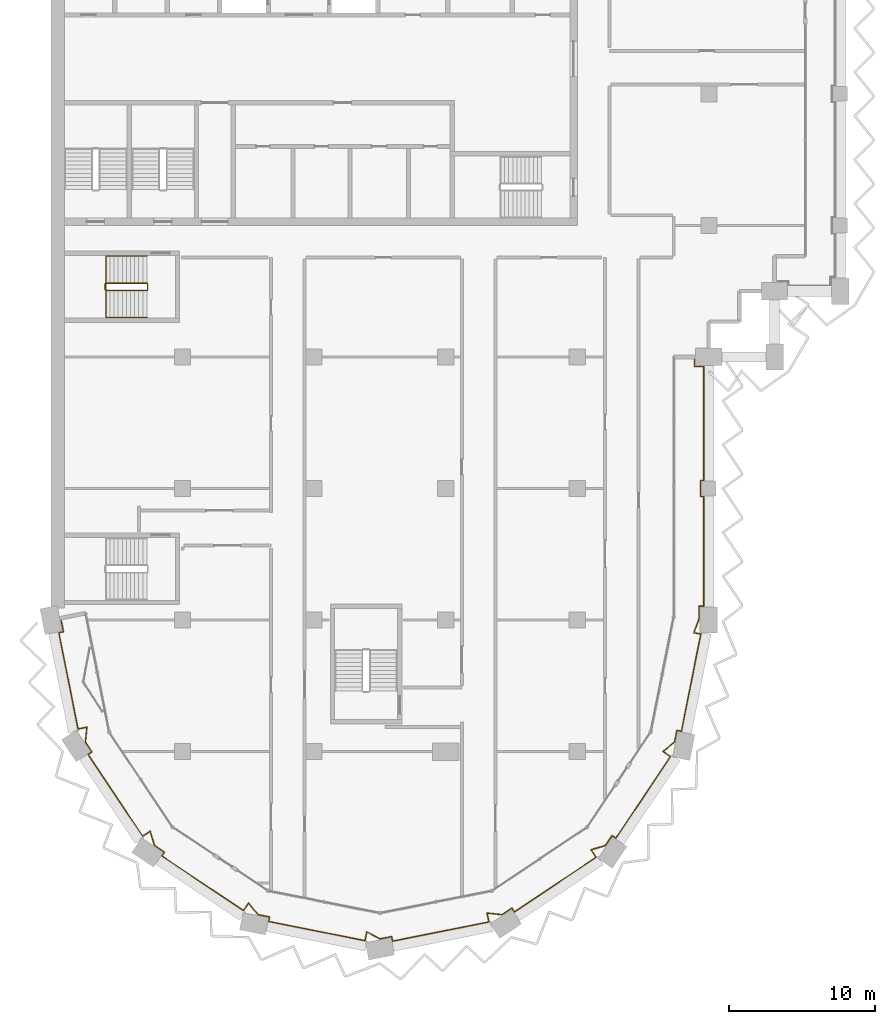
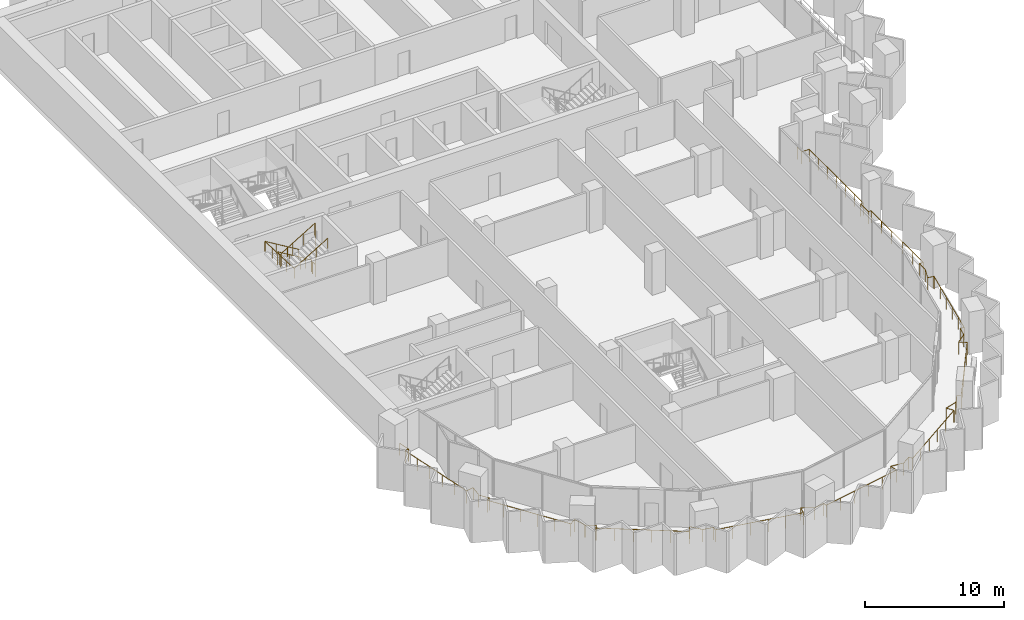
# One storey, part 17 of 19: 3 railings.
"""IFC4 building model written with IfcOpenShell, lengths in metres."""

import ifcopenshell
import ifcopenshell.guid

model = None  # the IFC model being written
_history = None  # IfcOwnerHistory: only IFC2X3 demands one
_inside = {}  # id of a spatial element -> (the spatial element, [elements in it])
_under = {}  # id of a project, library or spatial element -> (it, [spatial elements below it])
_declared = {}  # id of a project -> (the project, [libraries it declares])
_typed = {}  # id of a type object -> (the type object, [elements of that type])
_made_of = {}  # id of a material, layer set ... -> (it, [elements and type objects made of it])


def new_model(schema):
    """Start an empty IFC model of exactly this schema.

    Asked for "IFC4X3", IfcOpenShell would pick the latest addendum, in which some entities
    have other attributes; the version numbers below select the first issue.
    IFC2X3 requires an IfcOwnerHistory on every rooted entity: one is made here for all.
    """
    global model, _history
    if schema == "IFC4X3":
        model = ifcopenshell.file(schema_version=(4, 3, 0, 0))
    else:
        model = ifcopenshell.file(schema=schema)
    _inside.clear()
    _under.clear()
    _declared.clear()
    _typed.clear()
    _made_of.clear()
    _history = None
    if model.schema == "IFC2X3":
        org = make("IfcOrganization", Name="unknown")
        user = make(
            "IfcPersonAndOrganization",
            ThePerson=make("IfcPerson", FamilyName="unknown"),
            TheOrganization=org,
        )
        app = make(
            "IfcApplication",
            ApplicationDeveloper=org,
            Version="unknown",
            ApplicationFullName="unknown",
            ApplicationIdentifier="unknown",
        )
        _history = make(
            "IfcOwnerHistory",
            OwningUser=user,
            OwningApplication=app,
            ChangeAction="ADDED",
            CreationDate=0,
        )
    return model


def make(cls, **values):
    """One entity of the class cls with the attributes given. An attribute that is None is left unset."""
    return model.create_entity(
        cls, **{name: value for name, value in values.items() if value is not None}
    )


def rooted(cls, **values):
    """An entity with a GlobalId (a new one), such as an element, a storey or a relation."""
    return make(cls, GlobalId=ifcopenshell.guid.new(), OwnerHistory=_history, **values)


def si_unit(unit_type, name, prefix=None):
    """IfcSIUnit, for example si_unit("LENGTHUNIT", "METRE", prefix="MILLI")."""
    return make("IfcSIUnit", UnitType=unit_type, Prefix=prefix, Name=name)


def assignment(units):
    """IfcUnitAssignment: the units of a project."""
    return None if units is None else make("IfcUnitAssignment", Units=units)


def point(xyz):
    """IfcCartesianPoint."""
    return None if xyz is None else make("IfcCartesianPoint", Coordinates=xyz)


def direction(xyz):
    """IfcDirection."""
    return None if xyz is None else make("IfcDirection", DirectionRatios=xyz)


def frame(location, z_axis=None, x_axis=None):
    """IfcAxis2Placement3D, a coordinate frame: its origin and axes. An axis left out is left unset."""
    return make(
        "IfcAxis2Placement3D",
        Location=point(location),
        Axis=direction(z_axis),
        RefDirection=direction(x_axis),
    )


def frame_2d(location, x_axis=None):
    """IfcAxis2Placement2D, a coordinate frame in the plane: its origin and x axis."""
    return make(
        "IfcAxis2Placement2D", Location=point(location), RefDirection=direction(x_axis)
    )


def origin():
    """The frame at (0, 0, 0) with its axes left unset."""
    return frame((0.0, 0.0, 0.0))


def origin_2d():
    """The frame at (0, 0) in the plane with its x axis left unset."""
    return frame_2d((0.0, 0.0))


def place(relative_to, where):
    """IfcLocalPlacement: puts the frame where relative to a parent placement (None: the world)."""
    return make(
        "IfcLocalPlacement", PlacementRelTo=relative_to, RelativePlacement=where
    )


def context(
    kind, dimensions, precision=None, world=None, true_north=None, identifier=None
):
    """IfcGeometricRepresentationContext, for example the 3D "Model" context."""
    return make(
        "IfcGeometricRepresentationContext",
        ContextIdentifier=identifier,
        ContextType=kind,
        CoordinateSpaceDimension=dimensions,
        Precision=precision,
        WorldCoordinateSystem=world,
        TrueNorth=true_north,
    )


def subcontext(parent, identifier, kind, view, scale=None):
    """IfcGeometricRepresentationSubContext, for example "Body" below "Model"."""
    return make(
        "IfcGeometricRepresentationSubContext",
        ContextIdentifier=identifier,
        ContextType=kind,
        ParentContext=parent,
        TargetScale=scale,
        TargetView=view,
    )


def project(units=None, contexts=None):
    """IfcProject with its units and contexts."""
    return rooted(
        "IfcProject",
        Name="project",
        RepresentationContexts=contexts,
        UnitsInContext=assignment(units),
    )


def spatial(cls, under=None, at=None, **own):
    """A site, building, storey or space (cls), placed at a placement, below another one or the project."""
    s = rooted(cls, ObjectPlacement=at, **own)
    if under is not None:
        _under.setdefault(under.id(), (under, []))[1].append(s)
    return s


def profile(cls, at=None, kind="AREA", **sizes):
    """A parametric profile (cls). Its sizes go by their IFC names, for example OverallWidth=200.0."""
    return make(cls, ProfileType=kind, Position=at, **sizes)


def circle(**sizes):
    """IfcCircleProfileDef."""
    return profile("IfcCircleProfileDef", **sizes)


def extrude(swept, where, along, depth):
    """IfcExtrudedAreaSolid: the profile swept, set in the frame where, extruded along a direction by depth."""
    return make(
        "IfcExtrudedAreaSolid",
        SweptArea=swept,
        Position=where,
        ExtrudedDirection=direction(along),
        Depth=depth,
    )


def shape(context_of_items, identifier, shape_type, items):
    """IfcShapeRepresentation: the items that make up one representation, for example the "Body"."""
    return make(
        "IfcShapeRepresentation",
        ContextOfItems=context_of_items,
        RepresentationIdentifier=identifier,
        RepresentationType=shape_type,
        Items=items,
    )


def material(Name=None, Category=None):
    """IfcMaterial."""
    return make("IfcMaterial", Name=Name, Category=Category)


def made_of(thing, what):
    """Note that an element or type object is made of a material, layer set ...; save() writes the relation."""
    if what is not None:
        _made_of.setdefault(what.id(), (what, []))[1].append(thing)
    return thing


def type_object(cls, material=None, **own):
    """A type object (cls), such as IfcWallType, which elements share."""
    return made_of(rooted(cls, **own), material)


def element(
    cls,
    number,
    at=None,
    inside=None,
    cuts=None,
    type_object=None,
    material=None,
    context=None,
    identifier="Body",
    shape_type=None,
    held_by="IfcProductDefinitionShape",
    body=None,
    shapes=None,
    **own,
):
    """One element of the class cls, such as IfcWall. Its Tag is "e" and its number.

    at: its placement. inside: the storey or other place that contains it. cuts: it is an
    opening in that element (IfcRelVoidsElement). A single representation is given by context,
    identifier, shape_type and body (its items); several are given by shapes. held_by: the class
    of the entity that holds the representations. save() writes the other relations.
    """
    e = rooted(cls, Tag="e%d" % number, ObjectPlacement=at, **own)
    if body is not None:
        shapes = [shape(context, identifier, shape_type, body)]
    if shapes is not None:
        e.Representation = make(held_by, Representations=shapes)
    if inside is not None:
        _inside.setdefault(inside.id(), (inside, []))[1].append(e)
    if cuts is not None:
        rooted(
            "IfcRelVoidsElement", RelatingBuildingElement=cuts, RelatedOpeningElement=e
        )
    if type_object is not None:
        _typed.setdefault(type_object.id(), (type_object, []))[1].append(e)
    return made_of(e, material)


def aggregate(whole, parts):
    """IfcRelAggregates: a whole, such as a stair, and the parts it consists of."""
    return rooted("IfcRelAggregates", RelatingObject=whole, RelatedObjects=parts)


def save(model, path):
    """Write the relations noted so far, then the file.

    IfcRelAggregates (storeys below a building ...), IfcRelContainedInSpatialStructure (elements
    in a storey), IfcRelDefinesByType, IfcRelAssociatesMaterial and IfcRelDeclares: one each for
    every whole, place, type object, material and project.
    """
    for whole, parts in _under.values():
        aggregate(whole, parts)
    for where, things in _inside.values():
        rooted(
            "IfcRelContainedInSpatialStructure",
            RelatedElements=things,
            RelatingStructure=where,
        )
    for kind, things in _typed.values():
        rooted("IfcRelDefinesByType", RelatedObjects=things, RelatingType=kind)
    for what, things in _made_of.values():
        rooted("IfcRelAssociatesMaterial", RelatedObjects=things, RelatingMaterial=what)
    for by, libraries in _declared.values():
        rooted("IfcRelDeclares", RelatingContext=by, RelatedDefinitions=libraries)
    model.write(path)


model = new_model("IFC4")

# Units and contexts
model_context = context("Model", 3, precision=1e-05, world=origin(), true_north=direction((0.0, 1.0)))
body_context = subcontext(model_context, "Body", "Model", "MODEL_VIEW")
ifc_project = project(units=[si_unit("LENGTHUNIT", "METRE"), si_unit("AREAUNIT", "SQUARE_METRE"), si_unit("VOLUMEUNIT", "CUBIC_METRE"), si_unit("PLANEANGLEUNIT", "RADIAN"), si_unit("MASSUNIT", "GRAM", prefix="KILO")], contexts=[model_context])

# Site, building, storey
site_placement = place(None, origin())
site = spatial("IfcSite", under=ifc_project, at=site_placement, CompositionType="ELEMENT")
building_placement = place(site_placement, origin())
building = spatial("IfcBuilding", under=site, at=building_placement, Name="Hunhe Ridgeline Campus", CompositionType="ELEMENT")
storey_placement = place(building_placement, frame((0.0, 0.0, 219.800048828125)))
storey = spatial("IfcBuildingStorey", under=building, at=storey_placement, Name="L56", CompositionType="ELEMENT", Elevation=219.800048828125)

# Railings
ifc_material_1 = material(Name="Steel Q355", Category="steel")
railing_type_1 = type_object("IfcRailingType", Name="Loggia guard 1100 Steel Q355", PredefinedType="GUARDRAIL", material=ifc_material_1)
railing_1_placement = place(storey_placement, frame((0.6572265625, 36.130615234375, 0.0)))
element("IfcRailing", 1, at=railing_1_placement, inside=storey, type_object=railing_type_1, Name="Loggia guard 1", PredefinedType="GUARDRAIL", context=body_context, shape_type="SweptSolid", body=[
    extrude(circle(Radius=0.02392578125, at=origin_2d()), frame((0.0, 0.0, 1.076171875), z_axis=(0.195078060519, -0.980787719287, 0.0), x_axis=(0.980787719287, 0.195078060519, 0.0)), (0.0, 0.0, 1.0), 0.949951171875),
    extrude(circle(Radius=0.02392578125, at=origin_2d()), frame((0.185302734375, -0.931640625, 1.076171875), z_axis=(-0.980756274917, -0.195236085831, 0.0), x_axis=(0.195236085831, -0.980756274917, 0.0)), (0.0, 0.0, 1.0), 0.320068359375),
    extrude(circle(Radius=0.02392578125, at=origin_2d()), frame((-0.128662109375, -0.994140625, 1.076171875), z_axis=(0.195081688297, -0.980786997717, 0.0), x_axis=(0.980786997717, 0.195081688297, 0.0)), (0.0, 0.0, 1.0), 6.718017578125),
    extrude(circle(Radius=0.02392578125, at=origin_2d()), frame((1.181884765625, -7.5830078125, 1.076171875), z_axis=(0.980747227858, 0.195281527671, 0.0), x_axis=(-0.195281527671, 0.980747227858, 0.0)), (0.0, 0.0, 1.0), 0.618896484375),
    extrude(circle(Radius=0.02392578125, at=origin_2d()), frame((1.788818359375, -7.462158203125, 1.076171875), z_axis=(-0.100047453171, -0.99498266674, 0.0), x_axis=(0.99498266674, -0.100047453171, 0.0)), (0.0, 0.0, 1.0), 1.0224609375),
    extrude(circle(Radius=0.02392578125, at=origin_2d()), frame((1.6865234375, -8.4794921875, 1.076171875), z_axis=(0.555596479569, -0.83145207432, 0.0), x_axis=(0.83145207432, 0.555596479569, 0.0)), (0.0, 0.0, 1.0), 0.81689453125),
    extrude(circle(Radius=0.02392578125, at=origin_2d()), frame((2.140380859375, -9.15869140625, 1.076171875), z_axis=(-0.831580508376, -0.555404229448, 0.0), x_axis=(0.555404229448, -0.831580508376, 0.0)), (0.0, 0.0, 1.0), 0.320068359375),
    extrude(circle(Radius=0.02392578125, at=origin_2d()), frame((1.874267578125, -9.33642578125, 1.076171875), z_axis=(0.555588848626, -0.831457173451, 0.0), x_axis=(0.831457173451, 0.555588848626, 0.0)), (0.0, 0.0, 1.0), 6.718017578125),
    extrude(circle(Radius=0.02392578125, at=origin_2d()), frame((5.606689453125, -14.922119140625, 1.076171875), z_axis=(0.831442704119, 0.555610501851, 0.0), x_axis=(-0.555610501851, 0.831442704119, 0.0)), (0.0, 0.0, 1.0), 0.61865234375),
    extrude(circle(Radius=0.02392578125, at=origin_2d()), frame((6.12109375, -14.578369140625, 1.076171875), z_axis=(0.28844300651, -0.957497066312, 0.0), x_axis=(0.957497066312, 0.28844300651, 0.0)), (0.0, 0.0, 1.0), 1.0224609375),
    extrude(circle(Radius=0.02392578125, at=origin_2d()), frame((6.416015625, -15.557373046875, 1.076171875), z_axis=(0.831359782977, -0.55573456906, 0.0), x_axis=(0.55573456906, 0.831359782977, 0.0)), (0.0, 0.0, 1.0), 0.816650390625),
    extrude(circle(Radius=0.02392578125, at=origin_2d()), frame((7.094970703125, -16.01123046875, 1.076171875), z_axis=(-0.555404229448, -0.831580508376, 0.0), x_axis=(0.831580508376, -0.555404229448, 0.0)), (0.0, 0.0, 1.0), 0.320068359375),
    extrude(circle(Radius=0.02392578125, at=origin_2d()), frame((6.917236328125, -16.27734375, 1.076171875), z_axis=(0.831473961305, -0.555563724222, 0.0), x_axis=(0.555563724222, 0.831473961305, 0.0)), (0.0, 0.0, 1.0), 6.7177734375),
    extrude(circle(Radius=0.02392578125, at=origin_2d()), frame((12.5029296875, -20.009521484375, 1.076171875), z_axis=(0.555610501851, 0.831442704119, 0.0), x_axis=(-0.831442704119, 0.555610501851, 0.0)), (0.0, 0.0, 1.0), 0.61865234375),
    extrude(circle(Radius=0.02392578125, at=origin_2d()), frame((12.8466796875, -19.4951171875, 1.076171875), z_axis=(0.63289971186, -0.774233785576, 0.0), x_axis=(0.774233785576, 0.63289971186, 0.0)), (0.0, 0.0, 1.0), 1.022705078125),
    extrude(circle(Radius=0.02392578125, at=origin_2d()), frame((13.493896484375, -20.286865234375, 1.076171875), z_axis=(0.980821383877, -0.194908729743, 0.0), x_axis=(0.194908729743, 0.980821383877, 0.0)), (0.0, 0.0, 1.0), 0.816650390625),
    extrude(circle(Radius=0.02392578125, at=origin_2d()), frame((14.294921875, -20.446044921875, 1.076171875), z_axis=(-0.195236085831, -0.980756274917, 0.0), x_axis=(0.980756274917, -0.195236085831, 0.0)), (0.0, 0.0, 1.0), 0.320068359375),
    extrude(circle(Radius=0.02392578125, at=origin_2d()), frame((14.232421875, -20.760009765625, 1.076171875), z_axis=(0.980786997717, -0.195081688297, 0.0), x_axis=(0.195081688297, 0.980786997717, 0.0)), (0.0, 0.0, 1.0), 6.718017578125),
    extrude(circle(Radius=0.02392578125, at=origin_2d()), frame((20.8212890625, -22.070556640625, 1.076171875), z_axis=(0.194902020226, 0.980822717168, 0.0), x_axis=(-0.980822717168, 0.194902020226, 0.0)), (0.0, 0.0, 1.0), 0.618896484375),
    extrude(circle(Radius=0.02392578125, at=origin_2d()), frame((20.94189453125, -21.463623046875, 1.076171875), z_axis=(0.880961256043, -0.473188403652, 0.0), x_axis=(0.473188403652, 0.880961256043, 0.0)), (0.0, 0.0, 1.0), 1.022705078125),
    extrude(circle(Radius=0.02392578125, at=origin_2d()), frame((21.8427734375, -21.947509765625, 1.076171875), z_axis=(0.980764196543, 0.195196287822, 0.0), x_axis=(-0.195196287822, 0.980764196543, 0.0)), (0.0, 0.0, 1.0), 0.816650390625),
    extrude(circle(Radius=0.02392578125, at=origin_2d()), frame((22.643798828125, -21.7880859375, 1.076171875), z_axis=(0.195236085831, -0.980756274917, 0.0), x_axis=(0.980756274917, 0.195236085831, 0.0)), (0.0, 0.0, 1.0), 0.320068359375),
    extrude(circle(Radius=0.02392578125, at=origin_2d()), frame((22.706298828125, -22.10205078125, 1.076171875), z_axis=(0.980786997717, 0.195081688297, 0.0), x_axis=(-0.195081688297, 0.980786997717, 0.0)), (0.0, 0.0, 1.0), 6.718017578125),
    extrude(circle(Radius=0.02392578125, at=origin_2d()), frame((29.295166015625, -20.79150390625, 1.076171875), z_axis=(-0.195281527671, 0.980747227858, 0.0), x_axis=(-0.980747227858, -0.195281527671, 0.0)), (0.0, 0.0, 1.0), 0.618896484375),
    extrude(circle(Radius=0.02392578125, at=origin_2d()), frame((29.17431640625, -20.1845703125, 1.076171875), z_axis=(0.99498266674, -0.100047453171, 0.0), x_axis=(0.100047453171, 0.99498266674, 0.0)), (0.0, 0.0, 1.0), 1.0224609375),
    extrude(circle(Radius=0.02392578125, at=origin_2d()), frame((30.191650390625, -20.286865234375, 1.076171875), z_axis=(0.83145207432, 0.555596479569, 0.0), x_axis=(-0.555596479569, 0.83145207432, 0.0)), (0.0, 0.0, 1.0), 0.81689453125),
    extrude(circle(Radius=0.02392578125, at=origin_2d()), frame((30.870849609375, -19.8330078125, 1.076171875), z_axis=(0.555404229448, -0.831580508376, 0.0), x_axis=(0.831580508376, 0.555404229448, 0.0)), (0.0, 0.0, 1.0), 0.320068359375),
    extrude(circle(Radius=0.02392578125, at=origin_2d()), frame((31.048583984375, -20.09912109375, 1.076171875), z_axis=(0.831457173451, 0.555588848626, 0.0), x_axis=(-0.555588848626, 0.831457173451, 0.0)), (0.0, 0.0, 1.0), 6.718017578125),
    extrude(circle(Radius=0.02392578125, at=origin_2d()), frame((36.63427734375, -16.36669921875, 1.076171875), z_axis=(-0.555610501851, 0.831442704119, 0.0), x_axis=(-0.831442704119, -0.555610501851, 0.0)), (0.0, 0.0, 1.0), 0.61865234375),
    extrude(circle(Radius=0.02392578125, at=origin_2d()), frame((36.29052734375, -15.852294921875, 1.076171875), z_axis=(0.957497066312, 0.28844300651, 0.0), x_axis=(-0.28844300651, 0.957497066312, 0.0)), (0.0, 0.0, 1.0), 1.0224609375),
    extrude(circle(Radius=0.02392578125, at=origin_2d()), frame((37.26953125, -15.557373046875, 1.076171875), z_axis=(0.55573456906, 0.831359782977, 0.0), x_axis=(-0.831359782977, 0.55573456906, 0.0)), (0.0, 0.0, 1.0), 0.816650390625),
    extrude(circle(Radius=0.02392578125, at=origin_2d()), frame((37.723388671875, -14.87841796875, 1.076171875), z_axis=(0.831580508376, -0.555404229448, 0.0), x_axis=(0.555404229448, 0.831580508376, 0.0)), (0.0, 0.0, 1.0), 0.320068359375),
    extrude(circle(Radius=0.02392578125, at=origin_2d()), frame((37.989501953125, -15.05615234375, 1.076171875), z_axis=(0.555563724222, 0.831473961305, 0.0), x_axis=(-0.831473961305, 0.555563724222, 0.0)), (0.0, 0.0, 1.0), 6.7177734375),
    extrude(circle(Radius=0.02392578125, at=origin_2d()), frame((41.7216796875, -9.470458984375, 1.076171875), z_axis=(-0.831442704119, 0.555610501851, 0.0), x_axis=(-0.555610501851, -0.831442704119, 0.0)), (0.0, 0.0, 1.0), 0.61865234375),
    extrude(circle(Radius=0.02392578125, at=origin_2d()), frame((41.207275390625, -9.126708984375, 1.076171875), z_axis=(0.774233785576, 0.63289971186, 0.0), x_axis=(-0.63289971186, 0.774233785576, 0.0)), (0.0, 0.0, 1.0), 1.022705078125),
    extrude(circle(Radius=0.02392578125, at=origin_2d()), frame((41.9990234375, -8.4794921875, 1.076171875), z_axis=(0.194908729743, 0.980821383877, 0.0), x_axis=(-0.980821383877, 0.194908729743, 0.0)), (0.0, 0.0, 1.0), 0.816650390625),
    extrude(circle(Radius=0.02392578125, at=origin_2d()), frame((42.158203125, -7.678466796875, 1.076171875), z_axis=(0.980756274917, -0.195236085831, 0.0), x_axis=(0.195236085831, 0.980756274917, 0.0)), (0.0, 0.0, 1.0), 0.320068359375),
    extrude(circle(Radius=0.02392578125, at=origin_2d()), frame((42.47216796875, -7.740966796875, 1.076171875), z_axis=(0.195084106665, 0.980786516693, 0.0), x_axis=(-0.980786516693, 0.195084106665, 0.0)), (0.0, 0.0, 1.0), 6.779296875),
    extrude(circle(Radius=0.02392578125, at=origin_2d()), frame((43.794677734375, -1.092041015625, 1.076171875), z_axis=(-0.980754922768, 0.195242878144, 0.0), x_axis=(-0.195242878144, -0.980754922768, 0.0)), (0.0, 0.0, 1.0), 0.48388671875),
    extrude(circle(Radius=0.02392578125, at=origin_2d()), frame((43.320068359375, -0.99755859375, 1.076171875), z_axis=(0.353724256779, 0.93534974751, 0.0), x_axis=(-0.93534974751, 0.353724256779, 0.0)), (0.0, 0.0, 1.0), 0.997314453125),
    extrude(circle(Radius=0.02392578125, at=origin_2d()), frame((43.6728515625, -0.064697265625, 1.076171875), z_axis=(0.0, 1.0, 0.0), x_axis=(-1.0, 0.0, 0.0)), (0.0, 0.0, 1.0), 0.884033203125),
    extrude(circle(Radius=0.02392578125, at=origin_2d()), frame((43.6728515625, 0.8193359375, 1.076171875), z_axis=(1.0, 0.0, 0.0), x_axis=(0.0, 1.0, 0.0)), (0.0, 0.0, 1.0), 0.31982421875),
    extrude(circle(Radius=0.02392578125, at=origin_2d()), frame((43.99267578125, 0.8193359375, 1.076171875), z_axis=(0.0, 1.0, 0.0), x_axis=(-1.0, 0.0, 0.0)), (0.0, 0.0, 1.0), 7.5),
    extrude(circle(Radius=0.02392578125, at=origin_2d()), frame((43.99267578125, 8.3193359375, 1.076171875), z_axis=(-1.0, 0.0, 0.0), x_axis=(0.0, -1.0, 0.0)), (0.0, 0.0, 1.0), 0.219970703125),
    extrude(circle(Radius=0.02392578125, at=origin_2d()), frame((43.772705078125, 8.3193359375, 1.076171875), z_axis=(0.0, 1.0, 0.0), x_axis=(-1.0, 0.0, 0.0)), (0.0, 0.0, 1.0), 1.10009765625),
    extrude(circle(Radius=0.02392578125, at=origin_2d()), frame((43.772705078125, 9.41943359375, 1.076171875), z_axis=(1.0, 0.0, 0.0), x_axis=(0.0, 1.0, 0.0)), (0.0, 0.0, 1.0), 0.219970703125),
    extrude(circle(Radius=0.02392578125, at=origin_2d()), frame((43.99267578125, 9.41943359375, 1.076171875), z_axis=(0.0, 1.0, 0.0), x_axis=(-1.0, 0.0, 0.0)), (0.0, 0.0, 1.0), 7.800048828125),
    extrude(circle(Radius=0.02392578125, at=origin_2d()), frame((43.99267578125, 17.219482421875, 1.076171875), z_axis=(-1.0, 0.0, 0.0), x_axis=(0.0, -1.0, 0.0)), (0.0, 0.0, 1.0), 0.619873046875),
    extrude(circle(Radius=0.02392578125, at=origin_2d()), frame((43.372802734375, 17.219482421875, 1.076171875), z_axis=(0.0, 1.0, 0.0), x_axis=(-1.0, 0.0, 0.0)), (0.0, 0.0, 1.0), 0.64990234375),
    extrude(circle(Radius=0.02099609375, at=origin_2d()), origin(), (0.0, 0.0, 1.0), 1.052001953125),
    extrude(circle(Radius=0.02099609375, at=origin_2d()), frame((0.185302734375, -0.931640625, 0.0)), (0.0, 0.0, 1.0), 1.052001953125),
    extrude(circle(Radius=0.02099609375, at=origin_2d()), frame((-0.128662109375, -0.994140625, 0.0)), (0.0, 0.0, 1.0), 1.052001953125),
    extrude(circle(Radius=0.02099609375, at=origin_2d()), frame((0.133544921875, -2.31201171875, 0.0)), (0.0, 0.0, 1.0), 1.052001953125),
    extrude(circle(Radius=0.02099609375, at=origin_2d()), frame((0.3955078125, -3.629638671875, 0.0)), (0.0, 0.0, 1.0), 1.052001953125),
    extrude(circle(Radius=0.02099609375, at=origin_2d()), frame((0.65771484375, -4.947509765625, 0.0)), (0.0, 0.0, 1.0), 1.052001953125),
    extrude(circle(Radius=0.02099609375, at=origin_2d()), frame((0.919677734375, -6.26513671875, 0.0)), (0.0, 0.0, 1.0), 1.052001953125),
    extrude(circle(Radius=0.02099609375, at=origin_2d()), frame((1.181884765625, -7.5830078125, 0.0)), (0.0, 0.0, 1.0), 1.052001953125),
    extrude(circle(Radius=0.02099609375, at=origin_2d()), frame((1.788818359375, -7.462158203125, 0.0)), (0.0, 0.0, 1.0), 1.052001953125),
    extrude(circle(Radius=0.02099609375, at=origin_2d()), frame((1.6865234375, -8.4794921875, 0.0)), (0.0, 0.0, 1.0), 1.052001953125),
    extrude(circle(Radius=0.02099609375, at=origin_2d()), frame((2.140380859375, -9.15869140625, 0.0)), (0.0, 0.0, 1.0), 1.052001953125),
    extrude(circle(Radius=0.02099609375, at=origin_2d()), frame((1.874267578125, -9.33642578125, 0.0)), (0.0, 0.0, 1.0), 1.052001953125),
    extrude(circle(Radius=0.02099609375, at=origin_2d()), frame((2.620849609375, -10.45361328125, 0.0)), (0.0, 0.0, 1.0), 1.052001953125),
    extrude(circle(Radius=0.02099609375, at=origin_2d()), frame((3.3671875, -11.57080078125, 0.0)), (0.0, 0.0, 1.0), 1.052001953125),
    extrude(circle(Radius=0.02099609375, at=origin_2d()), frame((4.11376953125, -12.687744140625, 0.0)), (0.0, 0.0, 1.0), 1.052001953125),
    extrude(circle(Radius=0.02099609375, at=origin_2d()), frame((4.860107421875, -13.804931640625, 0.0)), (0.0, 0.0, 1.0), 1.052001953125),
    extrude(circle(Radius=0.02099609375, at=origin_2d()), frame((5.606689453125, -14.922119140625, 0.0)), (0.0, 0.0, 1.0), 1.052001953125),
    extrude(circle(Radius=0.02099609375, at=origin_2d()), frame((6.12109375, -14.578369140625, 0.0)), (0.0, 0.0, 1.0), 1.052001953125),
    extrude(circle(Radius=0.02099609375, at=origin_2d()), frame((6.416015625, -15.557373046875, 0.0)), (0.0, 0.0, 1.0), 1.052001953125),
    extrude(circle(Radius=0.02099609375, at=origin_2d()), frame((7.094970703125, -16.01123046875, 0.0)), (0.0, 0.0, 1.0), 1.052001953125),
    extrude(circle(Radius=0.02099609375, at=origin_2d()), frame((6.917236328125, -16.27734375, 0.0)), (0.0, 0.0, 1.0), 1.052001953125),
    extrude(circle(Radius=0.02099609375, at=origin_2d()), frame((8.034423828125, -17.023681640625, 0.0)), (0.0, 0.0, 1.0), 1.052001953125),
    extrude(circle(Radius=0.02099609375, at=origin_2d()), frame((9.151611328125, -17.770263671875, 0.0)), (0.0, 0.0, 1.0), 1.052001953125),
    extrude(circle(Radius=0.02099609375, at=origin_2d()), frame((10.2685546875, -18.5166015625, 0.0)), (0.0, 0.0, 1.0), 1.052001953125),
    extrude(circle(Radius=0.02099609375, at=origin_2d()), frame((11.3857421875, -19.26318359375, 0.0)), (0.0, 0.0, 1.0), 1.052001953125),
    extrude(circle(Radius=0.02099609375, at=origin_2d()), frame((12.5029296875, -20.009521484375, 0.0)), (0.0, 0.0, 1.0), 1.052001953125),
    extrude(circle(Radius=0.02099609375, at=origin_2d()), frame((12.8466796875, -19.4951171875, 0.0)), (0.0, 0.0, 1.0), 1.052001953125),
    extrude(circle(Radius=0.02099609375, at=origin_2d()), frame((13.493896484375, -20.286865234375, 0.0)), (0.0, 0.0, 1.0), 1.052001953125),
    extrude(circle(Radius=0.02099609375, at=origin_2d()), frame((14.294921875, -20.446044921875, 0.0)), (0.0, 0.0, 1.0), 1.052001953125),
    extrude(circle(Radius=0.02099609375, at=origin_2d()), frame((14.232421875, -20.760009765625, 0.0)), (0.0, 0.0, 1.0), 1.052001953125),
    extrude(circle(Radius=0.02099609375, at=origin_2d()), frame((15.55029296875, -21.022216796875, 0.0)), (0.0, 0.0, 1.0), 1.052001953125),
    extrude(circle(Radius=0.02099609375, at=origin_2d()), frame((16.867919921875, -21.2841796875, 0.0)), (0.0, 0.0, 1.0), 1.052001953125),
    extrude(circle(Radius=0.02099609375, at=origin_2d()), frame((18.185791015625, -21.54638671875, 0.0)), (0.0, 0.0, 1.0), 1.052001953125),
    extrude(circle(Radius=0.02099609375, at=origin_2d()), frame((19.50341796875, -21.808349609375, 0.0)), (0.0, 0.0, 1.0), 1.052001953125),
    extrude(circle(Radius=0.02099609375, at=origin_2d()), frame((20.8212890625, -22.070556640625, 0.0)), (0.0, 0.0, 1.0), 1.052001953125),
    extrude(circle(Radius=0.02099609375, at=origin_2d()), frame((20.94189453125, -21.463623046875, 0.0)), (0.0, 0.0, 1.0), 1.052001953125),
    extrude(circle(Radius=0.02099609375, at=origin_2d()), frame((21.8427734375, -21.947509765625, 0.0)), (0.0, 0.0, 1.0), 1.052001953125),
    extrude(circle(Radius=0.02099609375, at=origin_2d()), frame((22.643798828125, -21.7880859375, 0.0)), (0.0, 0.0, 1.0), 1.052001953125),
    extrude(circle(Radius=0.02099609375, at=origin_2d()), frame((22.706298828125, -22.10205078125, 0.0)), (0.0, 0.0, 1.0), 1.052001953125),
    extrude(circle(Radius=0.02099609375, at=origin_2d()), frame((24.024169921875, -21.83984375, 0.0)), (0.0, 0.0, 1.0), 1.052001953125),
    extrude(circle(Radius=0.02099609375, at=origin_2d()), frame((25.341796875, -21.577880859375, 0.0)), (0.0, 0.0, 1.0), 1.052001953125),
    extrude(circle(Radius=0.02099609375, at=origin_2d()), frame((26.65966796875, -21.315673828125, 0.0)), (0.0, 0.0, 1.0), 1.052001953125),
    extrude(circle(Radius=0.02099609375, at=origin_2d()), frame((27.977294921875, -21.0537109375, 0.0)), (0.0, 0.0, 1.0), 1.052001953125),
    extrude(circle(Radius=0.02099609375, at=origin_2d()), frame((29.295166015625, -20.79150390625, 0.0)), (0.0, 0.0, 1.0), 1.052001953125),
    extrude(circle(Radius=0.02099609375, at=origin_2d()), frame((29.17431640625, -20.1845703125, 0.0)), (0.0, 0.0, 1.0), 1.052001953125),
    extrude(circle(Radius=0.02099609375, at=origin_2d()), frame((30.191650390625, -20.286865234375, 0.0)), (0.0, 0.0, 1.0), 1.052001953125),
    extrude(circle(Radius=0.02099609375, at=origin_2d()), frame((30.870849609375, -19.8330078125, 0.0)), (0.0, 0.0, 1.0), 1.052001953125),
    extrude(circle(Radius=0.02099609375, at=origin_2d()), frame((31.048583984375, -20.09912109375, 0.0)), (0.0, 0.0, 1.0), 1.052001953125),
    extrude(circle(Radius=0.02099609375, at=origin_2d()), frame((32.165771484375, -19.3525390625, 0.0)), (0.0, 0.0, 1.0), 1.052001953125),
    extrude(circle(Radius=0.02099609375, at=origin_2d()), frame((33.282958984375, -18.606201171875, 0.0)), (0.0, 0.0, 1.0), 1.052001953125),
    extrude(circle(Radius=0.02099609375, at=origin_2d()), frame((34.39990234375, -17.859619140625, 0.0)), (0.0, 0.0, 1.0), 1.052001953125),
    extrude(circle(Radius=0.02099609375, at=origin_2d()), frame((35.51708984375, -17.11328125, 0.0)), (0.0, 0.0, 1.0), 1.052001953125),
    extrude(circle(Radius=0.02099609375, at=origin_2d()), frame((36.63427734375, -16.36669921875, 0.0)), (0.0, 0.0, 1.0), 1.052001953125),
    extrude(circle(Radius=0.02099609375, at=origin_2d()), frame((36.29052734375, -15.852294921875, 0.0)), (0.0, 0.0, 1.0), 1.052001953125),
    extrude(circle(Radius=0.02099609375, at=origin_2d()), frame((37.26953125, -15.557373046875, 0.0)), (0.0, 0.0, 1.0), 1.052001953125),
    extrude(circle(Radius=0.02099609375, at=origin_2d()), frame((37.723388671875, -14.87841796875, 0.0)), (0.0, 0.0, 1.0), 1.052001953125),
    extrude(circle(Radius=0.02099609375, at=origin_2d()), frame((37.989501953125, -15.05615234375, 0.0)), (0.0, 0.0, 1.0), 1.052001953125),
    extrude(circle(Radius=0.02099609375, at=origin_2d()), frame((38.73583984375, -13.93896484375, 0.0)), (0.0, 0.0, 1.0), 1.052001953125),
    extrude(circle(Radius=0.02099609375, at=origin_2d()), frame((39.482421875, -12.82177734375, 0.0)), (0.0, 0.0, 1.0), 1.052001953125),
    extrude(circle(Radius=0.02099609375, at=origin_2d()), frame((40.228759765625, -11.704833984375, 0.0)), (0.0, 0.0, 1.0), 1.052001953125),
    extrude(circle(Radius=0.02099609375, at=origin_2d()), frame((40.975341796875, -10.587646484375, 0.0)), (0.0, 0.0, 1.0), 1.052001953125),
    extrude(circle(Radius=0.02099609375, at=origin_2d()), frame((41.7216796875, -9.470458984375, 0.0)), (0.0, 0.0, 1.0), 1.052001953125),
    extrude(circle(Radius=0.02099609375, at=origin_2d()), frame((41.207275390625, -9.126708984375, 0.0)), (0.0, 0.0, 1.0), 1.052001953125),
    extrude(circle(Radius=0.02099609375, at=origin_2d()), frame((41.9990234375, -8.4794921875, 0.0)), (0.0, 0.0, 1.0), 1.052001953125),
    extrude(circle(Radius=0.02099609375, at=origin_2d()), frame((42.158203125, -7.678466796875, 0.0)), (0.0, 0.0, 1.0), 1.052001953125),
    extrude(circle(Radius=0.02099609375, at=origin_2d()), frame((42.47216796875, -7.740966796875, 0.0)), (0.0, 0.0, 1.0), 1.052001953125),
    extrude(circle(Radius=0.02099609375, at=origin_2d()), frame((42.736572265625, -6.4111328125, 0.0)), (0.0, 0.0, 1.0), 1.052001953125),
    extrude(circle(Radius=0.02099609375, at=origin_2d()), frame((43.001220703125, -5.081298828125, 0.0)), (0.0, 0.0, 1.0), 1.052001953125),
    extrude(circle(Radius=0.02099609375, at=origin_2d()), frame((43.265625, -3.751708984375, 0.0)), (0.0, 0.0, 1.0), 1.052001953125),
    extrude(circle(Radius=0.02099609375, at=origin_2d()), frame((43.5302734375, -2.421875, 0.0)), (0.0, 0.0, 1.0), 1.052001953125),
    extrude(circle(Radius=0.02099609375, at=origin_2d()), frame((43.794677734375, -1.092041015625, 0.0)), (0.0, 0.0, 1.0), 1.052001953125),
    extrude(circle(Radius=0.02099609375, at=origin_2d()), frame((43.320068359375, -0.99755859375, 0.0)), (0.0, 0.0, 1.0), 1.052001953125),
    extrude(circle(Radius=0.02099609375, at=origin_2d()), frame((43.6728515625, -0.064697265625, 0.0)), (0.0, 0.0, 1.0), 1.052001953125),
    extrude(circle(Radius=0.02099609375, at=origin_2d()), frame((43.6728515625, 0.8193359375, 0.0)), (0.0, 0.0, 1.0), 1.052001953125),
    extrude(circle(Radius=0.02099609375, at=origin_2d()), frame((43.99267578125, 0.8193359375, 0.0)), (0.0, 0.0, 1.0), 1.052001953125),
    extrude(circle(Radius=0.02099609375, at=origin_2d()), frame((43.99267578125, 2.3193359375, 0.0)), (0.0, 0.0, 1.0), 1.052001953125),
    extrude(circle(Radius=0.02099609375, at=origin_2d()), frame((43.99267578125, 3.8193359375, 0.0)), (0.0, 0.0, 1.0), 1.052001953125),
    extrude(circle(Radius=0.02099609375, at=origin_2d()), frame((43.99267578125, 5.3193359375, 0.0)), (0.0, 0.0, 1.0), 1.052001953125),
    extrude(circle(Radius=0.02099609375, at=origin_2d()), frame((43.99267578125, 6.8193359375, 0.0)), (0.0, 0.0, 1.0), 1.052001953125),
    extrude(circle(Radius=0.02099609375, at=origin_2d()), frame((43.99267578125, 8.3193359375, 0.0)), (0.0, 0.0, 1.0), 1.052001953125),
    extrude(circle(Radius=0.02099609375, at=origin_2d()), frame((43.772705078125, 8.3193359375, 0.0)), (0.0, 0.0, 1.0), 1.052001953125),
    extrude(circle(Radius=0.02099609375, at=origin_2d()), frame((43.772705078125, 9.41943359375, 0.0)), (0.0, 0.0, 1.0), 1.052001953125),
    extrude(circle(Radius=0.02099609375, at=origin_2d()), frame((43.99267578125, 9.41943359375, 0.0)), (0.0, 0.0, 1.0), 1.052001953125),
    extrude(circle(Radius=0.02099609375, at=origin_2d()), frame((43.99267578125, 10.719482421875, 0.0)), (0.0, 0.0, 1.0), 1.052001953125),
    extrude(circle(Radius=0.02099609375, at=origin_2d()), frame((43.99267578125, 12.01953125, 0.0)), (0.0, 0.0, 1.0), 1.052001953125),
    extrude(circle(Radius=0.02099609375, at=origin_2d()), frame((43.99267578125, 13.3193359375, 0.0)), (0.0, 0.0, 1.0), 1.052001953125),
    extrude(circle(Radius=0.02099609375, at=origin_2d()), frame((43.99267578125, 14.619384765625, 0.0)), (0.0, 0.0, 1.0), 1.052001953125),
    extrude(circle(Radius=0.02099609375, at=origin_2d()), frame((43.99267578125, 15.91943359375, 0.0)), (0.0, 0.0, 1.0), 1.052001953125),
    extrude(circle(Radius=0.02099609375, at=origin_2d()), frame((43.99267578125, 17.219482421875, 0.0)), (0.0, 0.0, 1.0), 1.052001953125),
    extrude(circle(Radius=0.02099609375, at=origin_2d()), frame((43.372802734375, 17.219482421875, 0.0)), (0.0, 0.0, 1.0), 1.052001953125),
    extrude(circle(Radius=0.02099609375, at=origin_2d()), frame((43.372802734375, 17.869384765625, 0.0)), (0.0, 0.0, 1.0), 1.052001953125),
])
ifc_material_2 = material(Name="Stainless steel balustrade", Category="steel")
railing_type_2 = type_object("IfcRailingType", Name="Stair guard 1100 stainless", PredefinedType="GUARDRAIL", material=ifc_material_2)
railing_2_placement = place(storey_placement, frame((6.550048828125, 59.050048828125, 0.168212890625)))
element("IfcRailing", 2, at=railing_2_placement, inside=storey, type_object=railing_type_2, Name="L56 stair W2 guard", PredefinedType="GUARDRAIL", context=body_context, shape_type="SweptSolid", body=[
    extrude(circle(Radius=0.02392578125, at=origin_2d()), frame((0.0, 0.0, 1.076171875), z_axis=(-0.857275202839, 0.0, 0.514858452973), x_axis=(0.0, -1.0, 0.0)), (0.0, 0.0, 1.0), 3.26611328125),
    extrude(circle(Radius=0.02392578125, at=origin_2d()), frame((-2.800048828125, 0.0, 2.7578125), z_axis=(-0.707106781187, -0.707106781187, 0.0), x_axis=(0.707106781187, -0.707106781187, 0.0)), (0.0, 0.0, 1.0), 0.07080078125),
    extrude(circle(Radius=0.02392578125, at=origin_2d()), frame((-2.85009765625, -0.050048828125, 2.7578125), z_axis=(0.0, -1.0, 0.0), x_axis=(1.0, 0.0, 0.0)), (0.0, 0.0, 1.0), 0.39990234375),
    extrude(circle(Radius=0.02392578125, at=origin_2d()), frame((-2.85009765625, -0.449951171875, 2.7578125), z_axis=(0.274243871929, -0.274243871929, 0.92172696468), x_axis=(0.707106781187, 0.707106781187, 0.0)), (0.0, 0.0, 1.0), 0.1826171875),
    extrude(circle(Radius=0.02392578125, at=origin_2d()), frame((-2.800048828125, -0.5, 2.92578125), z_axis=(0.857242210791, 0.0, 0.514913383045), x_axis=(0.0, 1.0, 0.0)), (0.0, 0.0, 1.0), 3.266357421875),
    extrude(circle(Radius=0.02392578125, at=origin_2d()), frame((0.0, -0.5, 4.60791015625), z_axis=(0.013524414389, 0.013524414389, -0.999817073484), x_axis=(-0.707106781187, 0.707106781187, 0.0)), (0.0, 0.0, 1.0), 3.70068359375),
    extrude(circle(Radius=0.02392578125, at=origin_2d()), frame((0.050048828125, -0.449951171875, 0.90771484375), z_axis=(0.0, 1.0, 0.0), x_axis=(-1.0, 0.0, 0.0)), (0.0, 0.0, 1.0), 0.39990234375),
    extrude(circle(Radius=0.02099609375, at=origin_2d()), origin(), (0.0, 0.0, 1.0), 1.052001953125),
    extrude(circle(Radius=0.02099609375, at=origin_2d()), frame((-0.933349609375, 0.0, 0.560546875)), (0.0, 0.0, 1.0), 1.052001953125),
    extrude(circle(Radius=0.02099609375, at=origin_2d()), frame((-1.86669921875, 0.0, 1.12109375)), (0.0, 0.0, 1.0), 1.052001953125),
    extrude(circle(Radius=0.02099609375, at=origin_2d()), frame((-2.800048828125, 0.0, 1.681640625)), (0.0, 0.0, 1.0), 1.052001953125),
    extrude(circle(Radius=0.02099609375, at=origin_2d()), frame((-2.85009765625, -0.050048828125, 1.681640625)), (0.0, 0.0, 1.0), 1.052001953125),
    extrude(circle(Radius=0.02099609375, at=origin_2d()), frame((-2.85009765625, -0.449951171875, 1.681640625)), (0.0, 0.0, 1.0), 1.052001953125),
    extrude(circle(Radius=0.02099609375, at=origin_2d()), frame((-2.800048828125, -0.5, 1.849853515625)), (0.0, 0.0, 1.0), 1.052001953125),
    extrude(circle(Radius=0.02099609375, at=origin_2d()), frame((-1.86669921875, -0.5, 2.410400390625)), (0.0, 0.0, 1.0), 1.052001953125),
    extrude(circle(Radius=0.02099609375, at=origin_2d()), frame((-0.933349609375, -0.5, 2.97119140625)), (0.0, 0.0, 1.0), 1.052001953125),
    extrude(circle(Radius=0.02099609375, at=origin_2d()), frame((0.0, -0.5, 3.53173828125)), (0.0, 0.0, 1.0), 1.052001953125),
    extrude(circle(Radius=0.02099609375, at=origin_2d()), frame((0.012451171875, -0.487548828125, 2.606689453125)), (0.0, 0.0, 1.0), 1.052001953125),
    extrude(circle(Radius=0.02099609375, at=origin_2d()), frame((0.02490234375, -0.47509765625, 1.681640625)), (0.0, 0.0, 1.0), 1.052001953125),
    extrude(circle(Radius=0.02099609375, at=origin_2d()), frame((0.03759765625, -0.46240234375, 0.7568359375)), (0.0, 0.0, 1.0), 1.052001953125),
    extrude(circle(Radius=0.02099609375, at=origin_2d()), frame((0.050048828125, -0.449951171875, -0.168212890625)), (0.0, 0.0, 1.0), 1.052001953125),
    extrude(circle(Radius=0.02099609375, at=origin_2d()), frame((0.050048828125, -0.050048828125, -0.168212890625)), (0.0, 0.0, 1.0), 1.052001953125),
])
ifc_material_3 = material(Name="Stainless steel handrail", Category="steel")
railing_type_3 = type_object("IfcRailingType", Name="Stair handrail 900 stainless", PredefinedType="HANDRAIL", material=ifc_material_3)
railing_3_placement = place(storey_placement, frame((6.550048828125, 60.89990234375, 0.168212890625)))
element("IfcRailing", 3, at=railing_3_placement, inside=storey, type_object=railing_type_3, Name="L56 stair W2 handrail", PredefinedType="HANDRAIL", context=body_context, shape_type="SweptSolid", body=[
    extrude(circle(Radius=0.02392578125, at=origin_2d()), frame((0.0, 0.0, 0.8759765625), z_axis=(-0.857275202839, 0.0, 0.514858452973), x_axis=(0.0, -1.0, 0.0)), (0.0, 0.0, 1.0), 3.26611328125),
    extrude(circle(Radius=0.02392578125, at=origin_2d()), frame((-2.800048828125, 0.0, 2.5576171875), z_axis=(0.0, -0.999198916169, 0.040019069537), x_axis=(1.0, 0.0, 0.0)), (0.0, 0.0, 1.0), 4.203369140625),
    extrude(circle(Radius=0.02392578125, at=origin_2d()), frame((-2.800048828125, -4.199951171875, 2.7255859375), z_axis=(0.857242210791, 0.0, 0.514913383045), x_axis=(0.0, 1.0, 0.0)), (0.0, 0.0, 1.0), 3.266357421875),
    extrude(circle(Radius=0.02099609375, at=origin_2d()), origin(), (0.0, 0.0, 1.0), 0.851806640625),
    extrude(circle(Radius=0.02099609375, at=origin_2d()), frame((-0.933349609375, 0.0, 0.560546875)), (0.0, 0.0, 1.0), 0.851806640625),
    extrude(circle(Radius=0.02099609375, at=origin_2d()), frame((-1.86669921875, 0.0, 1.12109375)), (0.0, 0.0, 1.0), 0.851806640625),
    extrude(circle(Radius=0.02099609375, at=origin_2d()), frame((-2.800048828125, 0.0, 1.681640625)), (0.0, 0.0, 1.0), 0.851806640625),
    extrude(circle(Radius=0.02099609375, at=origin_2d()), frame((-2.800048828125, -1.050048828125, 1.7236328125)), (0.0, 0.0, 1.0), 0.851806640625),
    extrude(circle(Radius=0.02099609375, at=origin_2d()), frame((-2.800048828125, -2.10009765625, 1.765625)), (0.0, 0.0, 1.0), 0.851806640625),
    extrude(circle(Radius=0.02099609375, at=origin_2d()), frame((-2.800048828125, -3.14990234375, 1.807861328125)), (0.0, 0.0, 1.0), 0.851806640625),
    extrude(circle(Radius=0.02099609375, at=origin_2d()), frame((-2.800048828125, -4.199951171875, 1.849853515625)), (0.0, 0.0, 1.0), 0.851806640625),
    extrude(circle(Radius=0.02099609375, at=origin_2d()), frame((-1.86669921875, -4.199951171875, 2.410400390625)), (0.0, 0.0, 1.0), 0.851806640625),
    extrude(circle(Radius=0.02099609375, at=origin_2d()), frame((-0.933349609375, -4.199951171875, 2.97119140625)), (0.0, 0.0, 1.0), 0.851806640625),
    extrude(circle(Radius=0.02099609375, at=origin_2d()), frame((0.0, -4.199951171875, 3.53173828125)), (0.0, 0.0, 1.0), 0.851806640625),
])

save(model, "model.ifc")
